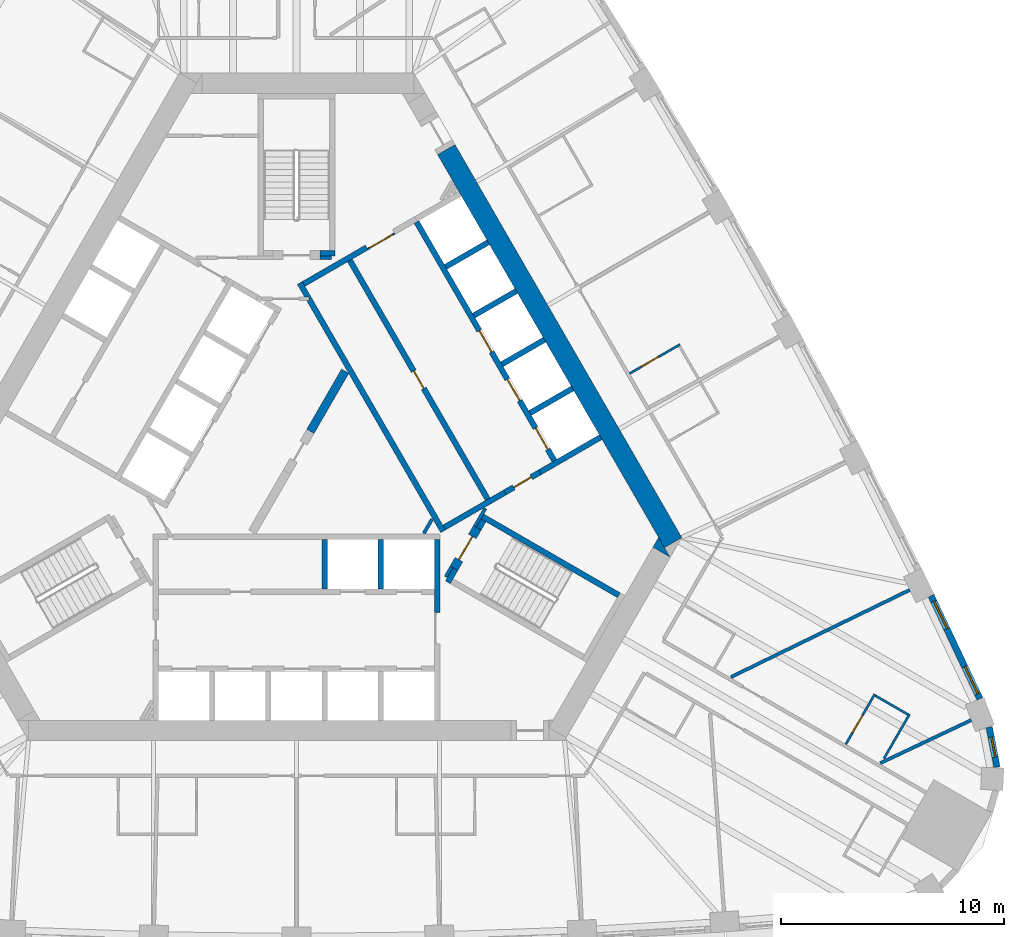
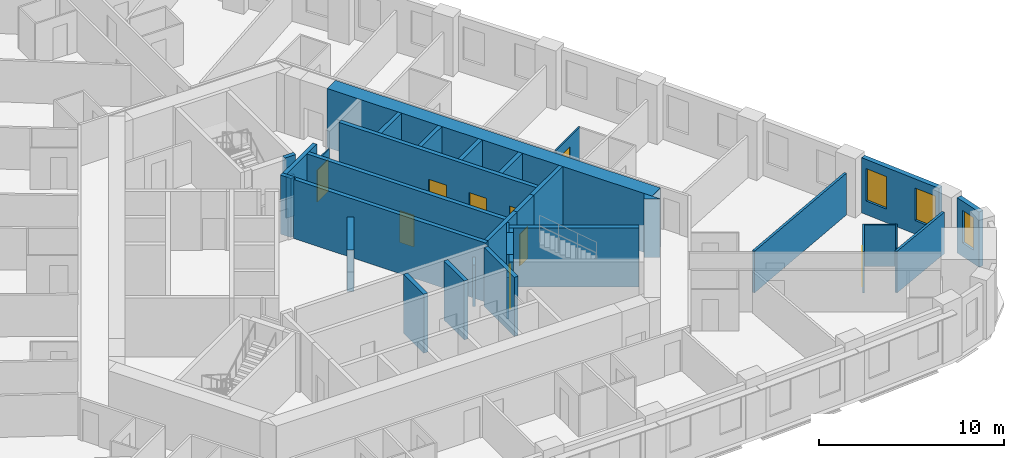
# One storey, part 8 of 12: 35 walls, 9 doors, 3 windows, 12 openings.
"""IFC4 building model written with IfcOpenShell, lengths in metres."""

from ifc_helpers import new_model, si_unit, direction, frame, frame_2d, origin, place, context, subcontext, project, spatial, polyline, rectangle, outline, extrude, material, layer, layer_set, type_object, element, fill, save


model = new_model("IFC4")

# Units and contexts
model_context = context("Model", 3, precision=1e-05, world=origin(), true_north=direction((0.0, 1.0)))
body_context = subcontext(model_context, "Body", "Model", "MODEL_VIEW")
ifc_project = project(units=[si_unit("LENGTHUNIT", "METRE"), si_unit("AREAUNIT", "SQUARE_METRE"), si_unit("VOLUMEUNIT", "CUBIC_METRE"), si_unit("PLANEANGLEUNIT", "RADIAN"), si_unit("MASSUNIT", "GRAM", prefix="KILO")], contexts=[model_context])

# Site, building, storey
site_placement = place(None, origin())
site = spatial("IfcSite", under=ifc_project, at=site_placement, CompositionType="ELEMENT")
building_placement = place(site_placement, origin())
building = spatial("IfcBuilding", under=site, at=building_placement, Name="Mestral Congress Tower", CompositionType="ELEMENT")
storey_placement = place(building_placement, frame((0.0, 0.0, 103.199951171875)))
storey = spatial("IfcBuildingStorey", under=building, at=storey_placement, Name="L24", CompositionType="ELEMENT", Elevation=103.199951171875)

# Walls
ifc_material_1 = material(Name="Fire-rated board partition")
ifc_layer_1 = layer(ifc_material_1, 0.14990234375)
ifc_layer_set_1 = layer_set([ifc_layer_1], Name="Fire-rated board partition")
wall_type_1 = type_object("IfcWallType", Name="Core partition 150", PredefinedType="PARTITIONING", material=ifc_layer_set_1)
wall_1_placement = place(storey_placement, frame((6.94482421875, -5.22216796875, 0.0), z_axis=(0.0, 0.0, 1.0), x_axis=(-0.499818422106, -0.866130212453, 0.0)))
element("IfcWall", 1, at=wall_1_placement, inside=storey, type_object=wall_type_1, Name="L24 core wall", PredefinedType="PARTITIONING", context=body_context, shape_type="SweptSolid", body=[
    extrude(rectangle(XDim=0.513916015625, YDim=0.14990234375, at=frame_2d((0.2568359375, 0.0))), origin(), (0.0, 0.0, 1.0), 2.75),
])
wall_2_placement = place(storey_placement, frame((5.704833984375, -3.718017578125, 0.0), z_axis=(0.0, 0.0, 1.0), x_axis=(0.499962090823, 0.866047289552, 0.0)))
element("IfcWall", 2, at=wall_2_placement, inside=storey, type_object=wall_type_1, Name="L24 core wall", PredefinedType="PARTITIONING", context=body_context, shape_type="SweptSolid", body=[
    extrude(rectangle(XDim=0.73486328125, YDim=0.14990234375, at=frame_2d((0.367431640625, 0.0))), origin(), (0.0, 0.0, 1.0), 2.75),
])
placement = place(storey_placement, origin())
element("IfcWall", 3, at=placement, inside=storey, type_object=wall_type_1, Name="L24 core wall", PredefinedType="PARTITIONING", context=body_context, shape_type="SweptSolid", body=[
    extrude(outline(polyline([(2.016845703125, 3.64306640625), (2.341552734375, 3.45556640625), (0.784912109375, 0.759521484375), (0.460205078125, 0.947021484375), (2.016845703125, 3.64306640625)])), origin(), (0.0, 0.0, 1.0), 2.75),
])
wall_4_placement = place(storey_placement, frame((1.050048828125, 8.62548828125, 0.0), z_axis=(0.0, 0.0, 1.0), x_axis=(1.0, 0.0, 0.0)))
element("IfcWall", 4, at=wall_4_placement, inside=storey, type_object=wall_type_1, Name="L24 core wall", PredefinedType="PARTITIONING", context=body_context, shape_type="SweptSolid", body=[
    extrude(rectangle(XDim=0.513916015625, YDim=0.14990234375, at=frame_2d((0.2568359375, 0.0))), origin(), (0.0, 0.0, 1.0), 2.75),
])

# Wall, opening, door
ifc_layer_2 = layer(ifc_material_1, 0.090087890625)
ifc_layer_set_2 = layer_set([ifc_layer_2], Name="Fire-rated board partition")
wall_type_2 = type_object("IfcWallType", Name="Core partition 150 door-wall 90", PredefinedType="PARTITIONING", material=ifc_layer_set_2)
wall_5_placement = place(storey_placement, frame((3.182861328125, 9.02001953125, 0.0), z_axis=(0.0, 0.0, 1.0), x_axis=(0.866034573852, 0.49998411664, 0.0)))
wall_5 = element("IfcWall", 5, at=wall_5_placement, inside=storey, type_object=wall_type_2, Name="L24 door wall", PredefinedType="PARTITIONING", context=body_context, shape_type="SweptSolid", body=[
    extrude(rectangle(XDim=1.39990234375, YDim=0.090087890625, at=frame_2d((0.699951171875, 0.0))), origin(), (0.0, 0.0, 1.0), 2.75),
])
opening_1_placement = place(wall_5_placement, frame((0.10009765625, 0.0, 0.0)))
opening_1 = element("IfcOpeningElement", 6, at=opening_1_placement, cuts=wall_5, Name="Opening LB1-WL2", PredefinedType="OPENING", context=body_context, shape_type="SweptSolid", body=[
    extrude(rectangle(XDim=1.199951171875, YDim=2.10009765625, at=frame_2d((0.60009765625, 1.050048828125))), frame((0.0, 0.054931640625, 0.0), z_axis=(0.0, -1.0, 0.0), x_axis=(1.0, 0.0, 0.0)), (0.0, 0.0, 1.0), 0.110107421875),
])
ifc_material_2 = material(Name="Fire-rated steel door set", Category="steel")
door_type_1 = type_object("IfcDoorType", Name="Core door LB 1200x2100", OperationType="SINGLE_SWING_LEFT", PredefinedType="DOOR", material=ifc_material_2)
door_1_placement = place(opening_1_placement, origin())
door_1 = element("IfcDoor", 7, at=door_1_placement, inside=storey, type_object=door_type_1, Name="Door LB1-WL2", OperationType="SINGLE_SWING_LEFT", OverallHeight=2.10009765625, OverallWidth=1.199951171875, PredefinedType="DOOR", context=body_context, shape_type="SweptSolid", body=[
    extrude(rectangle(XDim=1.199951171875, YDim=2.10009765625, at=frame_2d((0.60009765625, 1.050048828125))), frame((0.0, 0.02490234375, 0.0), z_axis=(0.0, -1.0, 0.0), x_axis=(1.0, 0.0, 0.0)), (0.0, 0.0, 1.0), 0.050048828125),
])
fill(opening_1, door_1)

# Walls
ifc_material_3 = material(Name="Concrete C60/75", Category="concrete")
ifc_layer_3 = layer(ifc_material_3, 0.89990234375)
ifc_layer_set_3 = layer_set([ifc_layer_3], Name="Concrete C60/75")
wall_type_3 = type_object("IfcWallType", Name="Core wall RC 900", PredefinedType="SOLIDWALL", material=ifc_layer_set_3)
wall_6_placement = place(storey_placement, frame((6.7109375, 13.476318359375, 0.0), z_axis=(0.0, 0.0, 1.0), x_axis=(0.500002723396, -0.866023831425, 0.0)))
element("IfcWall", 8, at=wall_6_placement, inside=storey, type_object=wall_type_3, Name="L24 core wall", PredefinedType="SOLIDWALL", context=body_context, shape_type="SweptSolid", body=[
    extrude(rectangle(XDim=20.333984375, YDim=0.89990234375, at=frame_2d((10.1669921875, 0.0))), origin(), (0.0, 0.0, 1.0), 3.900146484375),
])
element("IfcWall", 9, at=placement, inside=storey, type_object=wall_type_3, Name="L24 core wall", PredefinedType="SOLIDWALL", context=body_context, shape_type="SweptSolid", body=[
    extrude(outline(polyline([(16.223388671875, -3.900146484375), (16.731689453125, -4.780029296875), (15.969482421875, -4.340087890625), (16.223388671875, -3.900146484375)])), origin(), (0.0, 0.0, 1.0), 3.900146484375),
])

# Wall, opening, window
ifc_material_4 = material(Name="Precast concrete C40/50 with limestone facing", Category="masonry")
ifc_layer_4 = layer(ifc_material_4, 0.2900390625)
ifc_layer_set_4 = layer_set([ifc_layer_4], Name="Precast concrete C40/50 with limestone facing")
wall_type_4 = type_object("IfcWallType", Name="Facade stone wall 290", PredefinedType="SOLIDWALL", material=ifc_layer_set_4)
wall_8_placement = place(storey_placement, frame((31.385498046875, -14.189208984375, 0.0), z_axis=(0.0, 0.0, 1.0), x_axis=(-0.190409913989, 0.981704672829, 0.0)))
wall_8 = element("IfcWall", 10, at=wall_8_placement, inside=storey, type_object=wall_type_4, Name="Facade wall K0-3", PredefinedType="SOLIDWALL", context=body_context, shape_type="SweptSolid", body=[
    extrude(rectangle(XDim=1.8193359375, YDim=0.2900390625, at=frame_2d((0.90966796875, 0.0))), origin(), (0.0, 0.0, 1.0), 3.650146484375),
])
opening_2_placement = place(wall_8_placement, frame((0.459716796875, 0.0, 0.89990234375)))
opening_2 = element("IfcOpeningElement", 11, at=opening_2_placement, cuts=wall_8, Name="Opening W3", PredefinedType="OPENING", context=body_context, shape_type="SweptSolid", body=[
    extrude(rectangle(XDim=0.89990234375, YDim=2.14990234375, at=frame_2d((0.449951171875, 1.074951171875))), frame((0.0, 0.155029296875, 0.0), z_axis=(0.0, -1.0, 0.0), x_axis=(1.0, 0.0, 0.0)), (0.0, 0.0, 1.0), 0.31005859375),
])
ifc_material_5 = material(Name="Clear low-emissivity double glazing", Category="glass")
window_type_1 = type_object("IfcWindowType", Name="Facade punched window 900 x 2150 sill 900", PartitioningType="SINGLE_PANEL", PredefinedType="WINDOW", material=ifc_material_5)
window_1_placement = place(opening_2_placement, origin())
window_1 = element("IfcWindow", 12, at=window_1_placement, inside=storey, type_object=window_type_1, Name="Window K0-3", OverallHeight=2.14990234375, OverallWidth=0.89990234375, PartitioningType="SINGLE_PANEL", PredefinedType="WINDOW", context=body_context, shape_type="SweptSolid", body=[
    extrude(rectangle(XDim=0.89990234375, YDim=2.14990234375, at=frame_2d((0.449951171875, 1.074951171875))), frame((0.0, 0.01513671875, 0.0), z_axis=(0.0, -1.0, 0.0), x_axis=(1.0, 0.0, 0.0)), (0.0, 0.0, 1.0), 0.06005859375),
])
fill(opening_2, window_1)

# Wall, openings, windows
wall_9_placement = place(storey_placement, frame((30.61962890625, -11.127197265625, 0.0), z_axis=(0.0, 0.0, 1.0), x_axis=(-0.427543726596, 0.903994669148, 0.0)))
wall_9 = element("IfcWall", 13, at=wall_9_placement, inside=storey, type_object=wall_type_4, Name="Facade wall F1-00", PredefinedType="SOLIDWALL", context=body_context, shape_type="SweptSolid", body=[
    extrude(rectangle(XDim=5.106689453125, YDim=0.2900390625, at=frame_2d((2.55322265625, 0.0))), origin(), (0.0, 0.0, 1.0), 3.650146484375),
])
opening_3_placement = place(wall_9_placement, frame((0.240478515625, 0.0, 0.89990234375)))
opening_3 = element("IfcOpeningElement", 14, at=opening_3_placement, cuts=wall_9, Name="Opening W2", PredefinedType="OPENING", context=body_context, shape_type="SweptSolid", body=[
    extrude(rectangle(XDim=1.35009765625, YDim=2.14990234375, at=frame_2d((0.675048828125, 1.074951171875))), frame((0.0, 0.155029296875, 0.0), z_axis=(0.0, -1.0, 0.0), x_axis=(1.0, 0.0, 0.0)), (0.0, 0.0, 1.0), 0.31005859375),
])
opening_4_placement = place(wall_9_placement, frame((3.47119140625, 0.0, 0.89990234375)))
opening_4 = element("IfcOpeningElement", 15, at=opening_4_placement, cuts=wall_9, Name="Opening W2", PredefinedType="OPENING", context=body_context, shape_type="SweptSolid", body=[
    extrude(rectangle(XDim=1.35009765625, YDim=2.14990234375, at=frame_2d((0.675048828125, 1.074951171875))), frame((0.0, 0.155029296875, 0.0), z_axis=(0.0, -1.0, 0.0), x_axis=(1.0, 0.0, 0.0)), (0.0, 0.0, 1.0), 0.31005859375),
])
window_type_2 = type_object("IfcWindowType", Name="Facade punched window 1350 x 2150 sill 900", PartitioningType="DOUBLE_PANEL_VERTICAL", PredefinedType="WINDOW", material=ifc_material_5)
window_2_placement = place(opening_3_placement, origin())
window_2 = element("IfcWindow", 16, at=window_2_placement, inside=storey, type_object=window_type_2, Name="Window F1-00a", OverallHeight=2.14990234375, OverallWidth=1.35009765625, PartitioningType="DOUBLE_PANEL_VERTICAL", PredefinedType="WINDOW", context=body_context, shape_type="SweptSolid", body=[
    extrude(rectangle(XDim=1.35009765625, YDim=2.14990234375, at=frame_2d((0.675048828125, 1.074951171875))), frame((0.0, 0.01513671875, 0.0), z_axis=(0.0, -1.0, 0.0), x_axis=(1.0, 0.0, 0.0)), (0.0, 0.0, 1.0), 0.06005859375),
])
fill(opening_3, window_2)
window_3_placement = place(opening_4_placement, origin())
window_3 = element("IfcWindow", 17, at=window_3_placement, inside=storey, type_object=window_type_2, Name="Window F1-00b", OverallHeight=2.14990234375, OverallWidth=1.35009765625, PartitioningType="DOUBLE_PANEL_VERTICAL", PredefinedType="WINDOW", context=body_context, shape_type="SweptSolid", body=[
    extrude(rectangle(XDim=1.35009765625, YDim=2.14990234375, at=frame_2d((0.675048828125, 1.074951171875))), frame((0.0, 0.01513671875, 0.0), z_axis=(0.0, -1.0, 0.0), x_axis=(1.0, 0.0, 0.0)), (0.0, 0.0, 1.0), 0.06005859375),
])
fill(opening_4, window_3)

# Wall, opening, door
ifc_material_6 = material(Name="Gypsum board partition on metal studs with mineral wool", Category="composite")
ifc_layer_5 = layer(ifc_material_6, 0.10009765625)
ifc_layer_set_5 = layer_set([ifc_layer_5], Name="Gypsum board partition on metal studs with mineral wool")
wall_type_5 = type_object("IfcWallType", Name="Hotel partition wall 100", PredefinedType="PARTITIONING", material=ifc_layer_set_5)
wall_10_placement = place(storey_placement, frame((25.91015625, -10.917724609375, 0.0), z_axis=(0.0, 0.0, 1.0), x_axis=(-0.500006934395, -0.866021400173, 0.0)))
wall_10 = element("IfcWall", 18, at=wall_10_placement, inside=storey, type_object=wall_type_5, Name="L24-h-pod09a", PredefinedType="PARTITIONING", context=body_context, shape_type="SweptSolid", body=[
    extrude(rectangle(XDim=2.60009765625, YDim=0.10009765625, at=frame_2d((1.300048828125, 0.0))), origin(), (0.0, 0.0, 1.0), 2.75),
])
opening_5_placement = place(wall_10_placement, frame((1.10009765625, 0.0, 0.0)))
opening_5 = element("IfcOpeningElement", 19, at=opening_5_placement, cuts=wall_10, Name="Opening H07-018", PredefinedType="OPENING", context=body_context, shape_type="SweptSolid", body=[
    extrude(rectangle(XDim=0.89990234375, YDim=2.10009765625, at=frame_2d((0.449951171875, 1.050048828125))), frame((0.0, 0.06005859375, 0.0), z_axis=(0.0, -1.0, 0.0), x_axis=(1.0, 0.0, 0.0)), (0.0, 0.0, 1.0), 0.1201171875),
])
ifc_material_7 = material(Name="Timber veneer door leaf in timber frame", Category="wood")
door_type_2 = type_object("IfcDoorType", Name="Bathroom door 900", OperationType="SINGLE_SWING_LEFT", PredefinedType="DOOR", material=ifc_material_7)
door_2_placement = place(opening_5_placement, origin())
door_2 = element("IfcDoor", 20, at=door_2_placement, inside=storey, type_object=door_type_2, Name="L24-h-d018", OperationType="SINGLE_SWING_RIGHT", OverallHeight=2.10009765625, OverallWidth=0.89990234375, PredefinedType="DOOR", context=body_context, shape_type="SweptSolid", body=[
    extrude(rectangle(XDim=0.89990234375, YDim=2.10009765625, at=frame_2d((0.449951171875, 1.050048828125))), frame((0.0, 0.02490234375, 0.0), z_axis=(0.0, -1.0, 0.0), x_axis=(1.0, 0.0, 0.0)), (0.0, 0.0, 1.0), 0.050048828125),
])
fill(opening_5, door_2)

# Walls
wall_11_placement = place(storey_placement, frame((25.928466796875, -10.986083984375, 0.0), z_axis=(0.0, 0.0, 1.0), x_axis=(0.866025371046, -0.500000056704, 0.0)))
element("IfcWall", 21, at=wall_11_placement, inside=storey, type_object=wall_type_5, Name="L24-h-pod09b", PredefinedType="PARTITIONING", context=body_context, shape_type="SweptSolid", body=[
    extrude(rectangle(XDim=1.7001953125, YDim=0.10009765625, at=frame_2d((0.85009765625, 0.0))), origin(), (0.0, 0.0, 1.0), 2.75),
])
wall_12_placement = place(storey_placement, frame((26.319091796875, -13.809814453125, 0.0), z_axis=(0.0, 0.0, 1.0), x_axis=(0.499952165731, 0.866053019151, 0.0)))
element("IfcWall", 22, at=wall_12_placement, inside=storey, type_object=wall_type_5, Name="L24-h-pod09c", PredefinedType="PARTITIONING", context=body_context, shape_type="SweptSolid", body=[
    extrude(rectangle(XDim=2.300048828125, YDim=0.10009765625, at=frame_2d((1.14990234375, 0.0))), origin(), (0.0, 0.0, 1.0), 2.75),
])

# Wall, opening, door
wall_13_placement = place(storey_placement, frame((17.17919921875, 4.7451171875, 0.0), z_axis=(0.0, 0.0, 1.0), x_axis=(-0.866021400173, -0.500006934395, 0.0)))
wall_13 = element("IfcWall", 23, at=wall_13_placement, inside=storey, type_object=wall_type_5, Name="L24-h-pod12a", PredefinedType="PARTITIONING", context=body_context, shape_type="SweptSolid", body=[
    extrude(rectangle(XDim=2.60009765625, YDim=0.10009765625, at=frame_2d((1.300048828125, 0.0))), origin(), (0.0, 0.0, 1.0), 2.75),
])
opening_6_placement = place(wall_13_placement, frame((1.10009765625, 0.0, 0.0)))
opening_6 = element("IfcOpeningElement", 24, at=opening_6_placement, cuts=wall_13, Name="Opening H07-024", PredefinedType="OPENING", context=body_context, shape_type="SweptSolid", body=[
    extrude(rectangle(XDim=0.89990234375, YDim=2.10009765625, at=frame_2d((0.449951171875, 1.050048828125))), frame((0.0, 0.06005859375, 0.0), z_axis=(0.0, -1.0, 0.0), x_axis=(1.0, 0.0, 0.0)), (0.0, 0.0, 1.0), 0.1201171875),
])
door_3_placement = place(opening_6_placement, origin())
door_3 = element("IfcDoor", 25, at=door_3_placement, inside=storey, type_object=door_type_2, Name="L24-h-d024", OperationType="SINGLE_SWING_RIGHT", OverallHeight=2.10009765625, OverallWidth=0.89990234375, PredefinedType="DOOR", context=body_context, shape_type="SweptSolid", body=[
    extrude(rectangle(XDim=0.89990234375, YDim=2.10009765625, at=frame_2d((0.449951171875, 1.050048828125))), frame((0.0, 0.02490234375, 0.0), z_axis=(0.0, -1.0, 0.0), x_axis=(1.0, 0.0, 0.0)), (0.0, 0.0, 1.0), 0.050048828125),
])
fill(opening_6, door_3)

# Walls
ifc_layer_6 = layer(ifc_material_6, 0.14990234375)
ifc_layer_set_6 = layer_set([ifc_layer_6], Name="Gypsum board partition on metal studs with mineral wool")
wall_type_6 = type_object("IfcWallType", Name="Hotel partition wall 150", PredefinedType="PARTITIONING", material=ifc_layer_set_6)
wall_14_placement = place(storey_placement, frame((27.478515625, -6.2509765625, 0.0), z_axis=(0.0, 0.0, 1.0), x_axis=(-0.898945877276, -0.438059710231, 0.0)))
element("IfcWall", 26, at=wall_14_placement, inside=storey, type_object=wall_type_6, Name="L24-h-pw27", PredefinedType="PARTITIONING", context=body_context, shape_type="SweptSolid", body=[
    extrude(rectangle(XDim=8.909423828125, YDim=0.14990234375, at=frame_2d((4.45458984375, 0.0))), origin(), (0.0, 0.0, 1.0), 2.75),
])
wall_15_placement = place(storey_placement, frame((30.23095703125, -12.08544921875, 0.0), z_axis=(0.0, 0.0, 1.0), x_axis=(-0.904001132572, -0.427530060122, 0.0)))
element("IfcWall", 27, at=wall_15_placement, inside=storey, type_object=wall_type_6, Name="L24-h-pw28", PredefinedType="PARTITIONING", context=body_context, shape_type="SweptSolid", body=[
    extrude(rectangle(XDim=4.509521484375, YDim=0.14990234375, at=frame_2d((2.2548828125, 0.0))), origin(), (0.0, 0.0, 1.0), 2.75),
])
ifc_layer_7 = layer(ifc_material_3, 0.25)
ifc_layer_set_7 = layer_set([ifc_layer_7], Name="Concrete C60/75")
wall_type_7 = type_object("IfcWallType", Name="Shaft wall RC 250", PredefinedType="SOLIDWALL", material=ifc_layer_set_7)
wall_16_placement = place(storey_placement, frame((6.300048828125, -7.26806640625, 0.0), z_axis=(0.0, 0.0, 1.0), x_axis=(0.0, 1.0, 0.0)))
element("IfcWall", 28, at=wall_16_placement, inside=storey, type_object=wall_type_7, Name="L24 core wall", PredefinedType="SOLIDWALL", context=body_context, shape_type="SweptSolid", body=[
    extrude(rectangle(XDim=3.26806640625, YDim=0.25, at=frame_2d((1.634033203125, 0.0))), origin(), (0.0, 0.0, 1.0), 3.900146484375),
])
for number, where, z_axis, x_axis, name in (
    (29, (3.780029296875, -4.0, 0.0), (0.0, 0.0, 1.0), (0.0, -1.0, 0.0), "L24 core wall"),
    (30, (1.260009765625, -4.0, 0.0), (0.0, 0.0, 1.0), (0.0, -1.0, 0.0), "L24 core wall"),
    (31, (10.463623046875, 1.676513671875, 0.0), (0.0, 0.0, 1.0), (0.86605622881, 0.499946605688, 0.0), "L24 core wall"),
):
    element("IfcWall", number, at=place(storey_placement, frame(where, z_axis=z_axis, x_axis=x_axis)), inside=storey, type_object=wall_type_7, Name=name, PredefinedType="SOLIDWALL", context=body_context, shape_type="SweptSolid", body=[
        extrude(rectangle(XDim=2.199951171875, YDim=0.25, at=frame_2d((1.10009765625, 0.0))), origin(), (0.0, 0.0, 1.0), 3.900146484375),
    ])
wall_17_placement = place(storey_placement, frame((13.62890625, 0.593994140625, 0.0), z_axis=(0.0, 0.0, 1.0), x_axis=(-0.86602790099, -0.499995674689, 0.0)))
element("IfcWall", 32, at=wall_17_placement, inside=storey, type_object=wall_type_7, Name="L24 core wall", PredefinedType="SOLIDWALL", context=body_context, shape_type="SweptSolid", body=[
    extrude(rectangle(XDim=3.1455078125, YDim=0.25, at=frame_2d((1.57275390625, 0.0))), origin(), (0.0, 0.0, 1.0), 3.900146484375),
])
element("IfcWall", 33, at=placement, inside=storey, type_object=wall_type_7, Name="L24 core wall", PredefinedType="SOLIDWALL", context=body_context, shape_type="SweptSolid", body=[
    extrude(outline(polyline([(0.565673828125, 6.72509765625), (0.565673828125, 6.875), (0.565673828125, 6.875), (0.5654296875, 6.875), (0.36083984375, 6.875), (0.03515625, 7.439208984375), (0.251708984375, 7.564208984375), (0.376708984375, 7.34765625), (6.551513671875, -3.34765625), (6.676513671875, -3.564208984375), (6.460205078125, -3.689208984375), (0.447509765625, 6.724853515625), (0.5654296875, 6.724853515625), (0.565673828125, 6.724853515625), (0.565673828125, 6.72509765625)])), origin(), (0.0, 0.0, 1.0), 3.900146484375),
])
wall_19_placement = place(storey_placement, frame((0.314208984375, 7.455810546875, 0.0), z_axis=(0.0, 0.0, 1.0), x_axis=(0.866013897511, 0.50001992892, 0.0)))
element("IfcWall", 34, at=wall_19_placement, inside=storey, type_object=wall_type_7, Name="L24 core wall", PredefinedType="SOLIDWALL", context=body_context, shape_type="SweptSolid", body=[
    extrude(rectangle(XDim=3.267822265625, YDim=0.25, at=frame_2d((1.6337890625, 0.0))), origin(), (0.0, 0.0, 1.0), 3.900146484375),
])
wall_20_placement = place(storey_placement, frame((6.614013671875, -3.4560546875, 0.0), z_axis=(0.0, 0.0, 1.0), x_axis=(0.86602447079, 0.500001615989, 0.0)))
element("IfcWall", 35, at=wall_20_placement, inside=storey, type_object=wall_type_7, Name="L24 core wall", PredefinedType="SOLIDWALL", context=body_context, shape_type="SweptSolid", body=[
    extrude(rectangle(XDim=3.154296875, YDim=0.25, at=frame_2d((1.5771484375, 0.0))), origin(), (0.0, 0.0, 1.0), 3.900146484375),
])
for number, where, z_axis, x_axis, name in (
    (36, (6.68359375, 8.2236328125, 0.0), (0.0, 0.0, 1.0), (0.86605622881, 0.499946605688, 0.0), "L24 core wall"),
    (37, (7.943603515625, 6.041259765625, 0.0), (0.0, 0.0, 1.0), (0.86605622881, 0.499946605688, 0.0), "L24 core wall"),
    (38, (9.20361328125, 3.85888671875, 0.0), (0.0, 0.0, 1.0), (0.86605622881, 0.499946605688, 0.0), "L24 core wall"),
):
    element("IfcWall", number, at=place(storey_placement, frame(where, z_axis=z_axis, x_axis=x_axis)), inside=storey, type_object=wall_type_7, Name=name, PredefinedType="SOLIDWALL", context=body_context, shape_type="SweptSolid", body=[
        extrude(rectangle(XDim=2.199951171875, YDim=0.25, at=frame_2d((1.10009765625, 0.0))), origin(), (0.0, 0.0, 1.0), 3.900146484375),
    ])

# Wall, openings, doors
wall_21_placement = place(storey_placement, frame((11.552978515625, -0.460205078125, 0.0), z_axis=(0.0, 0.0, 1.0), x_axis=(-0.500006514828, 0.866021642414, 0.0)))
wall_21 = element("IfcWall", 39, at=wall_21_placement, inside=storey, type_object=wall_type_7, Name="L24 door wall", PredefinedType="SOLIDWALL", context=body_context, shape_type="SweptSolid", body=[
    extrude(rectangle(XDim=12.349853515625, YDim=0.25, at=frame_2d((6.1748046875, 0.0))), origin(), (0.0, 0.0, 1.0), 3.900146484375),
])
opening_7_placement = place(wall_21_placement, frame((0.5849609375, 0.0, 0.0)))
opening_7 = element("IfcOpeningElement", 40, at=opening_7_placement, cuts=wall_21, Name="Opening LD-NEA1", PredefinedType="OPENING", context=body_context, shape_type="SweptSolid", body=[
    extrude(rectangle(XDim=1.10009765625, YDim=2.10009765625, at=frame_2d((0.550048828125, 1.050048828125))), frame((0.0, 0.135009765625, 0.0), z_axis=(0.0, -1.0, 0.0), x_axis=(1.0, 0.0, 0.0)), (0.0, 0.0, 1.0), 0.27001953125),
])
opening_8_placement = place(wall_21_placement, frame((3.10498046875, 0.0, 0.0)))
opening_8 = element("IfcOpeningElement", 41, at=opening_8_placement, cuts=wall_21, Name="Opening LD-NEA2", PredefinedType="OPENING", context=body_context, shape_type="SweptSolid", body=[
    extrude(rectangle(XDim=1.10009765625, YDim=2.10009765625, at=frame_2d((0.550048828125, 1.050048828125))), frame((0.0, 0.135009765625, 0.0), z_axis=(0.0, -1.0, 0.0), x_axis=(1.0, 0.0, 0.0)), (0.0, 0.0, 1.0), 0.27001953125),
])
opening_9_placement = place(wall_21_placement, frame((5.625, 0.0, 0.0)))
opening_9 = element("IfcOpeningElement", 42, at=opening_9_placement, cuts=wall_21, Name="Opening LD-NEA3", PredefinedType="OPENING", context=body_context, shape_type="SweptSolid", body=[
    extrude(rectangle(XDim=1.10009765625, YDim=2.10009765625, at=frame_2d((0.550048828125, 1.050048828125))), frame((0.0, 0.135009765625, 0.0), z_axis=(0.0, -1.0, 0.0), x_axis=(1.0, 0.0, 0.0)), (0.0, 0.0, 1.0), 0.27001953125),
])
door_type_3 = type_object("IfcDoorType", Name="Core door LD 1100x2100", OperationType="DOUBLE_DOOR_SLIDING", PredefinedType="DOOR", material=ifc_material_2)
door_4_placement = place(opening_7_placement, origin())
door_4 = element("IfcDoor", 43, at=door_4_placement, inside=storey, type_object=door_type_3, Name="Door LD-NEA1", OperationType="DOUBLE_DOOR_SLIDING", OverallHeight=2.10009765625, OverallWidth=1.10009765625, PredefinedType="DOOR", context=body_context, shape_type="SweptSolid", body=[
    extrude(rectangle(XDim=1.10009765625, YDim=2.10009765625, at=frame_2d((0.550048828125, 1.050048828125))), frame((0.0, 0.02490234375, 0.0), z_axis=(0.0, -1.0, 0.0), x_axis=(1.0, 0.0, 0.0)), (0.0, 0.0, 1.0), 0.050048828125),
])
fill(opening_7, door_4)
door_5_placement = place(opening_8_placement, origin())
door_5 = element("IfcDoor", 44, at=door_5_placement, inside=storey, type_object=door_type_3, Name="Door LD-NEA2", OperationType="DOUBLE_DOOR_SLIDING", OverallHeight=2.10009765625, OverallWidth=1.10009765625, PredefinedType="DOOR", context=body_context, shape_type="SweptSolid", body=[
    extrude(rectangle(XDim=1.10009765625, YDim=2.10009765625, at=frame_2d((0.550048828125, 1.050048828125))), frame((0.0, 0.02490234375, 0.0), z_axis=(0.0, -1.0, 0.0), x_axis=(1.0, 0.0, 0.0)), (0.0, 0.0, 1.0), 0.050048828125),
])
fill(opening_8, door_5)
door_6_placement = place(opening_9_placement, origin())
door_6 = element("IfcDoor", 45, at=door_6_placement, inside=storey, type_object=door_type_3, Name="Door LD-NEA3", OperationType="DOUBLE_DOOR_SLIDING", OverallHeight=2.10009765625, OverallWidth=1.10009765625, PredefinedType="DOOR", context=body_context, shape_type="SweptSolid", body=[
    extrude(rectangle(XDim=1.10009765625, YDim=2.10009765625, at=frame_2d((0.550048828125, 1.050048828125))), frame((0.0, 0.02490234375, 0.0), z_axis=(0.0, -1.0, 0.0), x_axis=(1.0, 0.0, 0.0)), (0.0, 0.0, 1.0), 0.050048828125),
])
fill(opening_9, door_6)

# Wall, opening, door
wall_22_placement = place(storey_placement, frame((8.565185546875, -2.185302734375, 0.0), z_axis=(0.0, 0.0, 1.0), x_axis=(-0.499997954832, 0.866026584559, 0.0)))
wall_22 = element("IfcWall", 46, at=wall_22_placement, inside=storey, type_object=wall_type_7, Name="L24 door wall", PredefinedType="SOLIDWALL", context=body_context, shape_type="SweptSolid", body=[
    extrude(rectangle(XDim=12.35009765625, YDim=0.25, at=frame_2d((6.175048828125, 0.0))), origin(), (0.0, 0.0, 1.0), 3.900146484375),
])
opening_10_placement = place(wall_22_placement, frame((5.72509765625, 0.0, 0.0)))
opening_10 = element("IfcOpeningElement", 47, at=opening_10_placement, cuts=wall_22, Name="Opening SR-NEB1", PredefinedType="OPENING", context=body_context, shape_type="SweptSolid", body=[
    extrude(rectangle(XDim=0.89990234375, YDim=2.10009765625, at=frame_2d((0.449951171875, 1.050048828125))), frame((0.0, 0.135009765625, 0.0), z_axis=(0.0, -1.0, 0.0), x_axis=(1.0, 0.0, 0.0)), (0.0, 0.0, 1.0), 0.27001953125),
])
door_type_4 = type_object("IfcDoorType", Name="Core door SR 900x2100", OperationType="SINGLE_SWING_LEFT", PredefinedType="DOOR", material=ifc_material_2)
door_7_placement = place(opening_10_placement, origin())
door_7 = element("IfcDoor", 48, at=door_7_placement, inside=storey, type_object=door_type_4, Name="Door SR-NEB1", OperationType="SINGLE_SWING_LEFT", OverallHeight=2.10009765625, OverallWidth=0.89990234375, PredefinedType="DOOR", context=body_context, shape_type="SweptSolid", body=[
    extrude(rectangle(XDim=0.89990234375, YDim=2.10009765625, at=frame_2d((0.449951171875, 1.050048828125))), frame((0.0, 0.02490234375, 0.0), z_axis=(0.0, -1.0, 0.0), x_axis=(1.0, 0.0, 0.0)), (0.0, 0.0, 1.0), 0.050048828125),
])
fill(opening_10, door_7)

wall_23_placement = place(storey_placement, frame((9.345947265625, -1.878662109375, 0.0), z_axis=(0.0, 0.0, 1.0), x_axis=(0.866047807691, 0.499961193289, 0.0)))
wall_23 = element("IfcWall", 49, at=wall_23_placement, inside=storey, type_object=wall_type_7, Name="L24 door wall", PredefinedType="SOLIDWALL", context=body_context, shape_type="SweptSolid", body=[
    extrude(rectangle(XDim=1.800048828125, YDim=0.25, at=frame_2d((0.89990234375, 0.0))), origin(), (0.0, 0.0, 1.0), 3.900146484375),
])
opening_11_placement = place(wall_23_placement, frame((0.449951171875, 0.0, 0.0)))
opening_11 = element("IfcOpeningElement", 50, at=opening_11_placement, cuts=wall_23, Name="Opening TD1", PredefinedType="OPENING", context=body_context, shape_type="SweptSolid", body=[
    extrude(rectangle(XDim=0.89990234375, YDim=2.10009765625, at=frame_2d((0.449951171875, 1.050048828125))), frame((0.0, 0.135009765625, 0.0), z_axis=(0.0, -1.0, 0.0), x_axis=(1.0, 0.0, 0.0)), (0.0, 0.0, 1.0), 0.27001953125),
])
door_8_placement = place(opening_11_placement, origin())
door_8 = element("IfcDoor", 51, at=door_8_placement, inside=storey, type_object=door_type_4, Name="Door TD1", OperationType="SINGLE_SWING_LEFT", OverallHeight=2.10009765625, OverallWidth=0.89990234375, PredefinedType="DOOR", context=body_context, shape_type="SweptSolid", body=[
    extrude(rectangle(XDim=0.89990234375, YDim=2.10009765625, at=frame_2d((0.449951171875, 1.050048828125))), frame((0.0, 0.02490234375, 0.0), z_axis=(0.0, -1.0, 0.0), x_axis=(1.0, 0.0, 0.0)), (0.0, 0.0, 1.0), 0.050048828125),
])
fill(opening_11, door_8)

# Walls
ifc_layer_8 = layer(ifc_material_3, 0.14990234375)
ifc_layer_set_8 = layer_set([ifc_layer_8], Name="Concrete C60/75")
wall_type_8 = type_object("IfcWallType", Name="Shaft wall RC 250 door-wall 150", PredefinedType="SOLIDWALL", material=ifc_layer_set_8)
wall_24_placement = place(storey_placement, frame((8.459228515625, -2.59912109375, 0.0), z_axis=(0.0, 0.0, 1.0), x_axis=(-0.500041054325, -0.866001699761, 0.0)))
element("IfcWall", 52, at=wall_24_placement, inside=storey, type_object=wall_type_8, Name="L24 core wall", PredefinedType="PARTITIONING", context=body_context, shape_type="SweptSolid", body=[
    extrude(rectangle(XDim=0.9287109375, YDim=0.14990234375, at=frame_2d((0.46435546875, 0.0))), origin(), (0.0, 0.0, 1.0), 3.900146484375),
])
ifc_layer_9 = layer(ifc_material_3, 0.25)
ifc_layer_set_9 = layer_set([ifc_layer_9], Name="Concrete C60/75")
wall_type_9 = type_object("IfcWallType", Name="Stair wall RC 250", PredefinedType="SOLIDWALL", material=ifc_layer_set_9)
wall_25_placement = place(storey_placement, frame((6.780029296875, -5.906494140625, 0.0), z_axis=(0.0, 0.0, 1.0), x_axis=(0.500223362819, 0.865896406789, 0.0)))
element("IfcWall", 53, at=wall_25_placement, inside=storey, type_object=wall_type_9, Name="L24 core wall", PredefinedType="SOLIDWALL", context=body_context, shape_type="SweptSolid", body=[
    extrude(rectangle(XDim=0.675048828125, YDim=0.25, at=frame_2d((0.33740234375, 0.0))), origin(), (0.0, 0.0, 1.0), 3.900146484375),
])
wall_26_placement = place(storey_placement, frame((8.33447265625, -2.96435546875, 0.0), z_axis=(0.0, 0.0, 1.0), x_axis=(0.866016039709, -0.500016218704, 0.0)))
element("IfcWall", 54, at=wall_26_placement, inside=storey, type_object=wall_type_9, Name="L24 core wall", PredefinedType="SOLIDWALL", context=body_context, shape_type="SweptSolid", body=[
    extrude(rectangle(XDim=7.050048828125, YDim=0.25, at=frame_2d((3.52490234375, 0.0))), origin(), (0.0, 0.0, 1.0), 3.900146484375),
])
wall_27_placement = place(storey_placement, frame((8.167724609375, -3.503173828125, 0.0), z_axis=(0.0, 0.0, 1.0), x_axis=(0.49972245349, 0.866185586049, 0.0)))
element("IfcWall", 55, at=wall_27_placement, inside=storey, type_object=wall_type_9, Name="L24 core wall", PredefinedType="SOLIDWALL", context=body_context, shape_type="SweptSolid", body=[
    extrude(rectangle(XDim=0.425048828125, YDim=0.25, at=frame_2d((0.21240234375, 0.0))), origin(), (0.0, 0.0, 1.0), 3.900146484375),
])
wall_28_placement = place(storey_placement, frame((1.050048828125, 8.824951171875, 0.0), z_axis=(0.0, 0.0, 1.0), x_axis=(1.0, 0.0, 0.0)))
element("IfcWall", 56, at=wall_28_placement, inside=storey, type_object=wall_type_9, Name="L24 core wall", PredefinedType="SOLIDWALL", context=body_context, shape_type="SweptSolid", body=[
    extrude(rectangle(XDim=0.675048828125, YDim=0.25, at=frame_2d((0.33740234375, 0.0))), origin(), (0.0, 0.0, 1.0), 3.900146484375),
])

# Wall, opening, door
ifc_layer_10 = layer(ifc_material_3, 0.39990234375)
ifc_layer_set_10 = layer_set([ifc_layer_10], Name="Concrete C60/75")
wall_type_10 = type_object("IfcWallType", Name="Stair wall RC 250 door-wall 400", PredefinedType="SOLIDWALL", material=ifc_layer_set_10)
wall_29_placement = place(storey_placement, frame((7.052734375, -5.2841796875, 0.0), z_axis=(0.0, 0.0, 1.0), x_axis=(0.500078061341, 0.865980330357, 0.0)))
wall_29 = element("IfcWall", 57, at=wall_29_placement, inside=storey, type_object=wall_type_10, Name="L24 door wall", PredefinedType="SOLIDWALL", context=body_context, shape_type="SweptSolid", body=[
    extrude(rectangle(XDim=2.099853515625, YDim=0.39990234375, at=frame_2d((1.0498046875, 0.0))), origin(), (0.0, 0.0, 1.0), 3.900146484375),
])
opening_12_placement = place(wall_29_placement, frame((0.449951171875, 0.0, 0.0)))
opening_12 = element("IfcOpeningElement", 58, at=opening_12_placement, cuts=wall_29, Name="Opening ST-D1", PredefinedType="OPENING", context=body_context, shape_type="SweptSolid", body=[
    extrude(rectangle(XDim=1.199951171875, YDim=2.10009765625, at=frame_2d((0.60009765625, 1.050048828125))), frame((0.0, 0.2099609375, 0.0), z_axis=(0.0, -1.0, 0.0), x_axis=(1.0, 0.0, 0.0)), (0.0, 0.0, 1.0), 0.419921875),
])
door_type_5 = type_object("IfcDoorType", Name="Core door ST 1200x2100", OperationType="SINGLE_SWING_LEFT", PredefinedType="DOOR", material=ifc_material_2)
door_9_placement = place(opening_12_placement, origin())
door_9 = element("IfcDoor", 59, at=door_9_placement, inside=storey, type_object=door_type_5, Name="Door ST-D1", OperationType="SINGLE_SWING_LEFT", OverallHeight=2.10009765625, OverallWidth=1.199951171875, PredefinedType="DOOR", context=body_context, shape_type="SweptSolid", body=[
    extrude(rectangle(XDim=1.199951171875, YDim=2.10009765625, at=frame_2d((0.60009765625, 1.050048828125))), frame((0.0, 0.02490234375, 0.0), z_axis=(0.0, -1.0, 0.0), x_axis=(1.0, 0.0, 0.0)), (0.0, 0.0, 1.0), 0.050048828125),
])
fill(opening_12, door_9)

save(model, "model.ifc")
